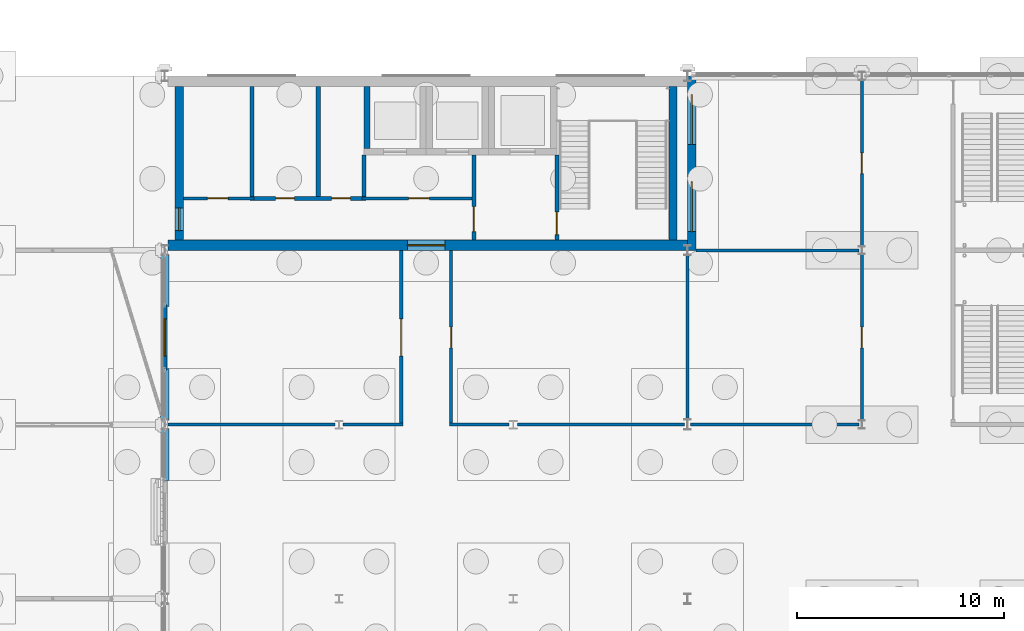
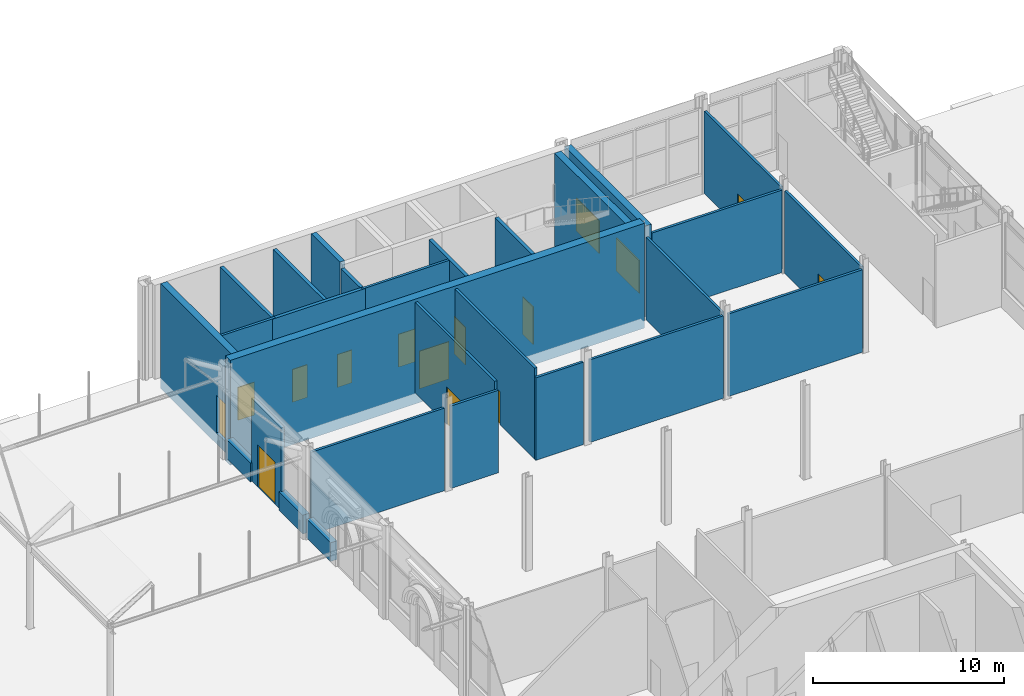
# One storey, part 190 of 212: 28 walls, 13 doors, 2 windows, 15 openings.
"""IFC4 building model written with IfcOpenShell, lengths in metres."""

from ifc_helpers import new_model, si_unit, direction, frame, frame_2d, origin, place, context, subcontext, project, spatial, rectangle, extrude, material, layer, layer_set, type_object, element, fill, save


model = new_model("IFC4")

# Units and contexts
model_context = context("Model", 3, precision=1e-05, world=origin(), true_north=direction((0.0, 1.0)))
body_context = subcontext(model_context, "Body", "Model", "MODEL_VIEW")
ifc_project = project(units=[si_unit("LENGTHUNIT", "METRE"), si_unit("AREAUNIT", "SQUARE_METRE"), si_unit("VOLUMEUNIT", "CUBIC_METRE"), si_unit("PLANEANGLEUNIT", "RADIAN"), si_unit("MASSUNIT", "GRAM", prefix="KILO")], contexts=[model_context])

# Site, building, storey
site_placement = place(None, origin())
site = spatial("IfcSite", under=ifc_project, at=site_placement, CompositionType="ELEMENT")
building_placement = place(site_placement, origin())
building = spatial("IfcBuilding", under=site, at=building_placement, Name="Catenary Quay Ferry Terminal", CompositionType="ELEMENT")
storey_placement = place(building_placement, origin())
storey = spatial("IfcBuildingStorey", under=building, at=storey_placement, Name="L00", CompositionType="ELEMENT", Elevation=0.0)

# Wall, opening, door
ifc_material_1 = material(Name="Concrete C50/60", Category="concrete")
ifc_layer_1 = layer(ifc_material_1, 0.39990234375)
ifc_layer_set_1 = layer_set([ifc_layer_1], Name="Core wall 400")
wall_type_1 = type_object("IfcWallType", Name="Core wall 400", PredefinedType="SHEAR", material=ifc_layer_set_1)
wall_1_placement = place(storey_placement, frame((25.89990234375, 202.10009765625, -0.699951171875), z_axis=(0.0, 0.0, 1.0), x_axis=(0.0, 1.0, 0.0)))
wall_1 = element("IfcWall", 1, at=wall_1_placement, inside=storey, type_object=wall_type_1, Name="Core wall N3", PredefinedType="SHEAR", context=body_context, shape_type="SweptSolid", body=[
    extrude(rectangle(XDim=7.39990234375, YDim=0.39990234375, at=frame_2d((3.699951171875, 0.0))), origin(), (0.0, 0.0, 1.0), 6.699951171875),
])
opening_1_placement = place(wall_1_placement, frame((0.449951171875, 0.0, 0.699951171875)))
opening_1 = element("IfcOpeningElement", 2, at=opening_1_placement, cuts=wall_1, Name="Opening D35", PredefinedType="OPENING", context=body_context, shape_type="SweptSolid", body=[
    extrude(rectangle(XDim=1.10009765625, YDim=2.39990234375, at=frame_2d((0.550048828125, 1.199951171875))), frame((0.0, 0.2099609375, 0.0), z_axis=(0.0, -1.0, 0.0), x_axis=(1.0, 0.0, 0.0)), (0.0, 0.0, 1.0), 0.419921875),
])
ifc_material_2 = material(Name="Steel", Category="steel")
door_type_1 = type_object("IfcDoorType", Name="DXE1100", OperationType="SINGLE_SWING_LEFT", PredefinedType="DOOR", material=ifc_material_2)
door_1_placement = place(opening_1_placement, origin())
door_1 = element("IfcDoor", 3, at=door_1_placement, inside=storey, type_object=door_type_1, Name="Corr core door D35", OperationType="SINGLE_SWING_LEFT", OverallHeight=2.39990234375, OverallWidth=1.10009765625, PredefinedType="DOOR", context=body_context, shape_type="SweptSolid", body=[
    extrude(rectangle(XDim=1.10009765625, YDim=2.39990234375, at=frame_2d((0.550048828125, 1.199951171875))), frame((0.0, 0.02490234375, 0.0), z_axis=(0.0, -1.0, 0.0), x_axis=(1.0, 0.0, 0.0)), (0.0, 0.0, 1.0), 0.050048828125),
])
fill(opening_1, door_1)

# Wall
wall_2_placement = place(storey_placement, frame((49.699951171875, 202.10009765625, -0.699951171875), z_axis=(0.0, 0.0, 1.0), x_axis=(0.0, 1.0, 0.0)))
element("IfcWall", 4, at=wall_2_placement, inside=storey, type_object=wall_type_1, Name="Core wall N4", PredefinedType="SHEAR", context=body_context, shape_type="SweptSolid", body=[
    extrude(rectangle(XDim=7.39990234375, YDim=0.39990234375, at=frame_2d((3.699951171875, 0.0))), origin(), (0.0, 0.0, 1.0), 6.699951171875),
])

# Wall, opening, door
ifc_material_3 = material(Name="Concrete C50/60", Category="concrete")
ifc_layer_2 = layer(ifc_material_3, 0.5)
ifc_layer_set_2 = layer_set([ifc_layer_2], Name="Core wall 500")
wall_type_2 = type_object("IfcWallType", Name="Core wall 500", PredefinedType="SHEAR", material=ifc_layer_set_2)
wall_3_placement = place(storey_placement, frame((25.35009765625, 201.85009765625, -0.699951171875), z_axis=(0.0, 0.0, 1.0), x_axis=(1.0, 0.0, 0.0)))
wall_3 = element("IfcWall", 5, at=wall_3_placement, inside=storey, type_object=wall_type_2, Name="Core wall N1", PredefinedType="SHEAR", context=body_context, shape_type="SweptSolid", body=[
    extrude(rectangle(XDim=25.04296875, YDim=0.5, at=frame_2d((12.521484375, 0.0))), origin(), (0.0, 0.0, 1.0), 6.699951171875),
])
opening_2_placement = place(wall_3_placement, frame((11.550048828125, 0.0, 0.699951171875)))
opening_2 = element("IfcOpeningElement", 6, at=opening_2_placement, cuts=wall_3, Name="Opening D87", PredefinedType="OPENING", context=body_context, shape_type="SweptSolid", body=[
    extrude(rectangle(XDim=1.800048828125, YDim=2.39990234375, at=frame_2d((0.89990234375, 1.199951171875))), frame((0.0, 0.260009765625, 0.0), z_axis=(0.0, -1.0, 0.0), x_axis=(1.0, 0.0, 0.0)), (0.0, 0.0, 1.0), 0.52001953125),
])
ifc_material_4 = material(Name="Steel and glass", Category="steel")
door_type_2 = type_object("IfcDoorType", Name="DI3", OperationType="DOUBLE_DOOR_SINGLE_SWING", PredefinedType="DOOR", material=ifc_material_4)
door_2_placement = place(opening_2_placement, origin())
door_2 = element("IfcDoor", 7, at=door_2_placement, inside=storey, type_object=door_type_2, Name="Operations Corridor North to Core Corridor N", OperationType="DOUBLE_DOOR_SINGLE_SWING", OverallHeight=2.39990234375, OverallWidth=1.800048828125, PredefinedType="DOOR", context=body_context, shape_type="SweptSolid", body=[
    extrude(rectangle(XDim=1.800048828125, YDim=2.39990234375, at=frame_2d((0.89990234375, 1.199951171875))), frame((0.0, 0.02490234375, 0.0), z_axis=(0.0, -1.0, 0.0), x_axis=(1.0, 0.0, 0.0)), (0.0, 0.0, 1.0), 0.050048828125),
])
fill(opening_2, door_2)

# Walls
ifc_material_5 = material(Name="Masonry and insulation", Category="masonry")
ifc_layer_3 = layer(ifc_material_5, 0.39990234375)
ifc_layer_set_3 = layer_set([ifc_layer_3], Name="EW14")
wall_type_3 = type_object("IfcWallType", Name="EW14", PredefinedType="SOLIDWALL", material=ifc_layer_set_3)
for number, where, z_axis, x_axis, name in (
    (8, (25.199951171875, 190.5, 0.0), (0.0, 0.0, 1.0), (0.0, 1.0, 0.0), "Plinth wing wall WL57"),
    (9, (25.199951171875, 193.39990234375, 0.0), (0.0, 0.0, 1.0), (0.0, 1.0, 0.0), "Plinth wing wall WL59"),
    (10, (25.199951171875, 198.89990234375, 0.0), (0.0, 0.0, 1.0), (0.0, 1.0, 0.0), "Plinth wing wall WL60"),
):
    element("IfcWall", number, at=place(storey_placement, frame(where, z_axis=z_axis, x_axis=x_axis)), inside=storey, type_object=wall_type_3, Name=name, PredefinedType="SOLIDWALL", context=body_context, shape_type="SweptSolid", body=[
        extrude(rectangle(XDim=2.5, YDim=0.39990234375, at=frame_2d((1.25, 0.0))), origin(), (0.0, 0.0, 1.0), 1.199951171875),
    ])

# Wall, openings, windows
ifc_material_6 = material(Name="Masonry and insulation", Category="masonry")
ifc_layer_4 = layer(ifc_material_6, 0.39990234375)
ifc_layer_set_4 = layer_set([ifc_layer_4], Name="EW2")
wall_type_4 = type_object("IfcWallType", Name="EW2", PredefinedType="SOLIDWALL", material=ifc_layer_set_4)
wall_4_placement = place(storey_placement, frame((50.60009765625, 201.60009765625, 0.0), z_axis=(0.0, 0.0, 1.0), x_axis=(0.0, 1.0, 0.0)))
wall_4 = element("IfcWall", 11, at=wall_4_placement, inside=storey, type_object=wall_type_4, Name="P16 wall WL171", PredefinedType="SOLIDWALL", context=body_context, shape_type="SweptSolid", body=[
    extrude(rectangle(XDim=8.39990234375, YDim=0.39990234375, at=frame_2d((4.199951171875, 0.0))), origin(), (0.0, 0.0, 1.0), 5.800048828125),
])
opening_3_placement = place(wall_4_placement, frame((0.89990234375, 0.0, 0.89990234375)))
opening_3 = element("IfcOpeningElement", 12, at=opening_3_placement, cuts=wall_4, Name="Opening W5", PredefinedType="OPENING", context=body_context, shape_type="SweptSolid", body=[
    extrude(rectangle(XDim=2.39990234375, YDim=2.10009765625, at=frame_2d((1.199951171875, 1.050048828125))), frame((0.0, 0.2099609375, 0.0), z_axis=(0.0, -1.0, 0.0), x_axis=(1.0, 0.0, 0.0)), (0.0, 0.0, 1.0), 0.419921875),
])
opening_4_placement = place(wall_4_placement, frame((5.10009765625, 0.0, 0.89990234375)))
opening_4 = element("IfcOpeningElement", 13, at=opening_4_placement, cuts=wall_4, Name="Opening W6", PredefinedType="OPENING", context=body_context, shape_type="SweptSolid", body=[
    extrude(rectangle(XDim=2.39990234375, YDim=2.10009765625, at=frame_2d((1.199951171875, 1.050048828125))), frame((0.0, 0.2099609375, 0.0), z_axis=(0.0, -1.0, 0.0), x_axis=(1.0, 0.0, 0.0)), (0.0, 0.0, 1.0), 0.419921875),
])
ifc_material_7 = material(Name="Aluminium and glass", Category="aluminium")
window_type = type_object("IfcWindowType", Name="WP2", PartitioningType="SINGLE_PANEL", PredefinedType="WINDOW", material=ifc_material_7)
window_1_placement = place(opening_3_placement, origin())
window_1 = element("IfcWindow", 14, at=window_1_placement, inside=storey, type_object=window_type, Name="P16 window W5", OverallHeight=2.10009765625, OverallWidth=2.39990234375, PartitioningType="SINGLE_PANEL", PredefinedType="WINDOW", context=body_context, shape_type="SweptSolid", body=[
    extrude(rectangle(XDim=2.39990234375, YDim=2.10009765625, at=frame_2d((1.199951171875, 1.050048828125))), frame((0.0, 0.030029296875, 0.0), z_axis=(0.0, -1.0, 0.0), x_axis=(1.0, 0.0, 0.0)), (0.0, 0.0, 1.0), 0.06005859375),
])
fill(opening_3, window_1)
window_2_placement = place(opening_4_placement, origin())
window_2 = element("IfcWindow", 15, at=window_2_placement, inside=storey, type_object=window_type, Name="P16 window W6", OverallHeight=2.10009765625, OverallWidth=2.39990234375, PartitioningType="SINGLE_PANEL", PredefinedType="WINDOW", context=body_context, shape_type="SweptSolid", body=[
    extrude(rectangle(XDim=2.39990234375, YDim=2.10009765625, at=frame_2d((1.199951171875, 1.050048828125))), frame((0.0, 0.030029296875, 0.0), z_axis=(0.0, -1.0, 0.0), x_axis=(1.0, 0.0, 0.0)), (0.0, 0.0, 1.0), 0.06005859375),
])
fill(opening_4, window_2)

# Wall, opening, door
ifc_material_8 = material(Name="Masonry and insulation", Category="masonry")
ifc_layer_5 = layer(ifc_material_8, 0.199951171875)
ifc_layer_set_5 = layer_set([ifc_layer_5], Name="EW6")
wall_type_5 = type_object("IfcWallType", Name="EW6", PredefinedType="SOLIDWALL", material=ifc_layer_set_5)
wall_5_placement = place(storey_placement, frame((25.199951171875, 195.8349609375, 0.0), z_axis=(0.0, 0.0, 1.0), x_axis=(0.0, 1.0, 0.0)))
wall_5 = element("IfcWall", 16, at=wall_5_placement, inside=storey, type_object=wall_type_5, Name="Front wing wall WL61", PredefinedType="SOLIDWALL", context=body_context, shape_type="SweptSolid", body=[
    extrude(rectangle(XDim=3.130126953125, YDim=0.199951171875, at=frame_2d((1.56494140625, 0.0))), origin(), (0.0, 0.0, 1.0), 5.271728515625),
])
opening_5_placement = place(wall_5_placement, frame((0.6650390625, 0.0, 0.0)))
opening_5 = element("IfcOpeningElement", 17, at=opening_5_placement, cuts=wall_5, Name="Opening D22", PredefinedType="OPENING", context=body_context, shape_type="SweptSolid", body=[
    extrude(rectangle(XDim=1.800048828125, YDim=2.699951171875, at=frame_2d((0.89990234375, 1.35009765625))), frame((0.0, 0.10986328125, 0.0), z_axis=(0.0, -1.0, 0.0), x_axis=(1.0, 0.0, 0.0)), (0.0, 0.0, 1.0), 0.219970703125),
])
ifc_material_9 = material(Name="Aluminium and glass", Category="aluminium")
door_type_3 = type_object("IfcDoorType", Name="DXH1800", OperationType="DOUBLE_DOOR_DOUBLE_SWING", PredefinedType="DOOR", material=ifc_material_9)
door_3_placement = place(opening_5_placement, origin())
door_3 = element("IfcDoor", 18, at=door_3_placement, inside=storey, type_object=door_type_3, Name="Front wing door D22", OperationType="DOUBLE_DOOR_DOUBLE_SWING", OverallHeight=2.699951171875, OverallWidth=1.800048828125, PredefinedType="DOOR", context=body_context, shape_type="SweptSolid", body=[
    extrude(rectangle(XDim=1.800048828125, YDim=2.699951171875, at=frame_2d((0.89990234375, 1.35009765625))), frame((0.0, 0.02490234375, 0.0), z_axis=(0.0, -1.0, 0.0), x_axis=(1.0, 0.0, 0.0)), (0.0, 0.0, 1.0), 0.050048828125),
])
fill(opening_5, door_3)

# Walls
ifc_material_10 = material(Name="Plasterboard on steel studs", Category="steel")
ifc_layer_6 = layer(ifc_material_10, 0.14990234375)
ifc_layer_set_6 = layer_set([ifc_layer_6], Name="IP11")
wall_type_6 = type_object("IfcWallType", Name="IP11", PredefinedType="PARTITIONING", material=ifc_layer_set_6)
wall_6_placement = place(storey_placement, frame((38.925048828125, 193.199951171875, 0.0), z_axis=(0.0, 0.0, 1.0), x_axis=(1.0, 0.0, 0.0)))
element("IfcWall", 19, at=wall_6_placement, inside=storey, type_object=wall_type_6, Name="Partition L00 56", PredefinedType="PARTITIONING", context=body_context, shape_type="SweptSolid", body=[
    extrude(rectangle(XDim=2.873046875, YDim=0.14990234375, at=frame_2d((1.4365234375, 0.0))), origin(), (0.0, 0.0, 1.0), 5.271728515625),
])
wall_7_placement = place(storey_placement, frame((42.201904296875, 193.199951171875, 0.0), z_axis=(0.0, 0.0, 1.0), x_axis=(1.0, 0.0, 0.0)))
element("IfcWall", 20, at=wall_7_placement, inside=storey, type_object=wall_type_6, Name="Partition L00 57", PredefinedType="PARTITIONING", context=body_context, shape_type="SweptSolid", body=[
    extrude(rectangle(XDim=8.048095703125, YDim=0.14990234375, at=frame_2d((4.02392578125, 0.0))), origin(), (0.0, 0.0, 1.0), 5.271728515625),
])

# Wall, opening, door
wall_8_placement = place(storey_placement, frame((39.0, 193.27490234375, 0.0), z_axis=(0.0, 0.0, 1.0), x_axis=(0.0, 1.0, 0.0)))
wall_8 = element("IfcWall", 21, at=wall_8_placement, inside=storey, type_object=wall_type_6, Name="Partition L00 80", PredefinedType="PARTITIONING", context=body_context, shape_type="SweptSolid", body=[
    extrude(rectangle(XDim=8.3251953125, YDim=0.14990234375, at=frame_2d((4.16259765625, 0.0))), origin(), (0.0, 0.0, 1.0), 5.800048828125),
])
opening_6_placement = place(wall_8_placement, frame((3.625, 0.0, 0.0)))
opening_6 = element("IfcOpeningElement", 22, at=opening_6_placement, cuts=wall_8, Name="Opening D94", PredefinedType="OPENING", context=body_context, shape_type="SweptSolid", body=[
    extrude(rectangle(XDim=1.0, YDim=2.10009765625, at=frame_2d((0.5, 1.050048828125))), frame((0.0, 0.0849609375, 0.0), z_axis=(0.0, -1.0, 0.0), x_axis=(1.0, 0.0, 0.0)), (0.0, 0.0, 1.0), 0.169921875),
])
ifc_material_11 = material(Name="Steel", Category="steel")
door_type_4 = type_object("IfcDoorType", Name="DI14", OperationType="SINGLE_SWING_LEFT", PredefinedType="DOOR", material=ifc_material_11)
door_4_placement = place(opening_6_placement, frame((1.0, 0.0, 0.0), z_axis=(0.0, 0.0, 1.0), x_axis=(-1.0, 0.0, 0.0)))
door_4 = element("IfcDoor", 23, at=door_4_placement, inside=storey, type_object=door_type_4, Name="Security and CCTV Control Room to Operations Corridor North", OperationType="SINGLE_SWING_RIGHT", OverallHeight=2.10009765625, OverallWidth=1.0, PredefinedType="DOOR", context=body_context, shape_type="SweptSolid", body=[
    extrude(rectangle(XDim=1.0, YDim=2.10009765625, at=frame_2d((0.5, 1.050048828125))), frame((0.0, 0.02490234375, 0.0), z_axis=(0.0, -1.0, 0.0), x_axis=(1.0, 0.0, 0.0)), (0.0, 0.0, 1.0), 0.050048828125),
])
fill(opening_6, door_4)

# Wall
wall_9_placement = place(storey_placement, frame((50.39990234375, 193.449951171875, 0.0), z_axis=(0.0, 0.0, 1.0), x_axis=(0.0, 1.0, 0.0)))
element("IfcWall", 24, at=wall_9_placement, inside=storey, type_object=wall_type_6, Name="Partition L00 97", PredefinedType="PARTITIONING", context=body_context, shape_type="SweptSolid", body=[
    extrude(rectangle(XDim=7.900146484375, YDim=0.14990234375, at=frame_2d((3.9501953125, 0.0))), origin(), (0.0, 0.0, 1.0), 5.271728515625),
])

# Wall, opening, door
ifc_material_12 = material(Name="Plasterboard on steel studs", Category="steel")
ifc_layer_7 = layer(ifc_material_12, 0.14990234375)
ifc_layer_set_7 = layer_set([ifc_layer_7], Name="IP3")
wall_type_7 = type_object("IfcWallType", Name="IP3", PredefinedType="PARTITIONING", material=ifc_layer_set_7)
wall_10_placement = place(storey_placement, frame((26.10009765625, 204.10009765625, 0.0), z_axis=(0.0, 0.0, 1.0), x_axis=(1.0, 0.0, 0.0)))
wall_10 = element("IfcWall", 25, at=wall_10_placement, inside=storey, type_object=wall_type_7, Name="Partition L00 62", PredefinedType="PARTITIONING", context=body_context, shape_type="SweptSolid", body=[
    extrude(rectangle(XDim=3.39990234375, YDim=0.14990234375, at=frame_2d((1.699951171875, 0.0))), origin(), (0.0, 0.0, 1.0), 5.800048828125),
])
opening_7_placement = place(wall_10_placement, frame((1.14990234375, 0.0, 0.0)))
opening_7 = element("IfcOpeningElement", 26, at=opening_7_placement, cuts=wall_10, Name="Opening D83", PredefinedType="OPENING", context=body_context, shape_type="SweptSolid", body=[
    extrude(rectangle(XDim=1.0, YDim=2.10009765625, at=frame_2d((0.5, 1.050048828125))), frame((0.0, 0.0849609375, 0.0), z_axis=(0.0, -1.0, 0.0), x_axis=(1.0, 0.0, 0.0)), (0.0, 0.0, 1.0), 0.169921875),
])
ifc_material_13 = material(Name="Timber", Category="wood")
door_type_5 = type_object("IfcDoorType", Name="DI8", OperationType="SINGLE_SWING_LEFT", PredefinedType="DOOR", material=ifc_material_13)
door_5_placement = place(opening_7_placement, origin())
door_5 = element("IfcDoor", 27, at=door_5_placement, inside=storey, type_object=door_type_5, Name="Accessible WC N to Core Corridor N", OperationType="SINGLE_SWING_LEFT", OverallHeight=2.10009765625, OverallWidth=1.0, PredefinedType="DOOR", context=body_context, shape_type="SweptSolid", body=[
    extrude(rectangle(XDim=1.0, YDim=2.10009765625, at=frame_2d((0.5, 1.050048828125))), frame((0.0, 0.02490234375, 0.0), z_axis=(0.0, -1.0, 0.0), x_axis=(1.0, 0.0, 0.0)), (0.0, 0.0, 1.0), 0.050048828125),
])
fill(opening_7, door_5)

wall_11_placement = place(storey_placement, frame((34.699951171875, 204.10009765625, 0.0), z_axis=(0.0, 0.0, 1.0), x_axis=(1.0, 0.0, 0.0)))
wall_11 = element("IfcWall", 28, at=wall_11_placement, inside=storey, type_object=wall_type_7, Name="Partition L00 64", PredefinedType="PARTITIONING", context=body_context, shape_type="SweptSolid", body=[
    extrude(rectangle(XDim=5.300048828125, YDim=0.14990234375, at=frame_2d((2.64990234375, 0.0))), origin(), (0.0, 0.0, 1.0), 5.800048828125),
])
opening_8_placement = place(wall_11_placement, frame((2.25, 0.0, 0.0)))
opening_8 = element("IfcOpeningElement", 29, at=opening_8_placement, cuts=wall_11, Name="Opening D75", PredefinedType="OPENING", context=body_context, shape_type="SweptSolid", body=[
    extrude(rectangle(XDim=1.0, YDim=2.10009765625, at=frame_2d((0.5, 1.050048828125))), frame((0.0, 0.0849609375, 0.0), z_axis=(0.0, -1.0, 0.0), x_axis=(1.0, 0.0, 0.0)), (0.0, 0.0, 1.0), 0.169921875),
])
ifc_material_14 = material(Name="Steel", Category="steel")
door_type_6 = type_object("IfcDoorType", Name="DI12", OperationType="SINGLE_SWING_LEFT", PredefinedType="DOOR", material=ifc_material_14)
door_6_placement = place(opening_8_placement, origin())
door_6 = element("IfcDoor", 30, at=door_6_placement, inside=storey, type_object=door_type_6, Name="Passenger Lift Lobby N to Core Corridor N", OperationType="SINGLE_SWING_LEFT", OverallHeight=2.10009765625, OverallWidth=1.0, PredefinedType="DOOR", context=body_context, shape_type="SweptSolid", body=[
    extrude(rectangle(XDim=1.0, YDim=2.10009765625, at=frame_2d((0.5, 1.050048828125))), frame((0.0, 0.02490234375, 0.0), z_axis=(0.0, -1.0, 0.0), x_axis=(1.0, 0.0, 0.0)), (0.0, 0.0, 1.0), 0.050048828125),
])
fill(opening_8, door_6)

wall_12_placement = place(storey_placement, frame((36.60009765625, 193.27490234375, 0.0), z_axis=(0.0, 0.0, 1.0), x_axis=(0.0, 1.0, 0.0)))
wall_12 = element("IfcWall", 31, at=wall_12_placement, inside=storey, type_object=wall_type_7, Name="Partition L00 78", PredefinedType="PARTITIONING", context=body_context, shape_type="SweptSolid", body=[
    extrude(rectangle(XDim=8.3251953125, YDim=0.14990234375, at=frame_2d((4.16259765625, 0.0))), origin(), (0.0, 0.0, 1.0), 5.800048828125),
])
opening_9_placement = place(wall_12_placement, frame((3.22509765625, 0.0, 0.0)))
opening_9 = element("IfcOpeningElement", 32, at=opening_9_placement, cuts=wall_12, Name="Opening D93", PredefinedType="OPENING", context=body_context, shape_type="SweptSolid", body=[
    extrude(rectangle(XDim=1.800048828125, YDim=2.39990234375, at=frame_2d((0.89990234375, 1.199951171875))), frame((0.0, 0.0849609375, 0.0), z_axis=(0.0, -1.0, 0.0), x_axis=(1.0, 0.0, 0.0)), (0.0, 0.0, 1.0), 0.169921875),
])
ifc_material_15 = material(Name="Aluminium and glass", Category="aluminium")
door_type_7 = type_object("IfcDoorType", Name="DI6", OperationType="DOUBLE_DOOR_SINGLE_SWING", PredefinedType="DOOR", material=ifc_material_15)
door_7_placement = place(opening_9_placement, origin())
door_7 = element("IfcDoor", 33, at=door_7_placement, inside=storey, type_object=door_type_7, Name="Staff Entrance Hall to Operations Corridor North", OperationType="DOUBLE_DOOR_SINGLE_SWING", OverallHeight=2.39990234375, OverallWidth=1.800048828125, PredefinedType="DOOR", context=body_context, shape_type="SweptSolid", body=[
    extrude(rectangle(XDim=1.800048828125, YDim=2.39990234375, at=frame_2d((0.89990234375, 1.199951171875))), frame((0.0, 0.02490234375, 0.0), z_axis=(0.0, -1.0, 0.0), x_axis=(1.0, 0.0, 0.0)), (0.0, 0.0, 1.0), 0.050048828125),
])
fill(opening_9, door_7)

wall_13_placement = place(storey_placement, frame((58.800048828125, 193.39990234375, 0.0), z_axis=(0.0, 0.0, 1.0), x_axis=(0.0, 1.0, 0.0)))
wall_13 = element("IfcWall", 34, at=wall_13_placement, inside=storey, type_object=wall_type_7, Name="Partition L00 100", PredefinedType="PARTITIONING", context=body_context, shape_type="SweptSolid", body=[
    extrude(rectangle(XDim=8.0, YDim=0.14990234375, at=frame_2d((4.0, 0.0))), origin(), (0.0, 0.0, 1.0), 5.271728515625),
])
opening_10_placement = place(wall_13_placement, frame((3.5, 0.0, 0.0)))
opening_10 = element("IfcOpeningElement", 35, at=opening_10_placement, cuts=wall_13, Name="Opening D98", PredefinedType="OPENING", context=body_context, shape_type="SweptSolid", body=[
    extrude(rectangle(XDim=1.0, YDim=2.10009765625, at=frame_2d((0.5, 1.050048828125))), frame((0.0, 0.0849609375, 0.0), z_axis=(0.0, -1.0, 0.0), x_axis=(1.0, 0.0, 0.0)), (0.0, 0.0, 1.0), 0.169921875),
])
ifc_material_16 = material(Name="Timber", Category="wood")
door_type_8 = type_object("IfcDoorType", Name="DI7", OperationType="SINGLE_SWING_LEFT", PredefinedType="DOOR", material=ifc_material_16)
door_8_placement = place(opening_10_placement, origin())
door_8 = element("IfcDoor", 36, at=door_8_placement, inside=storey, type_object=door_type_8, Name="Port Health Clinic to East Passage", OperationType="SINGLE_SWING_LEFT", OverallHeight=2.10009765625, OverallWidth=1.0, PredefinedType="DOOR", context=body_context, shape_type="SweptSolid", body=[
    extrude(rectangle(XDim=1.0, YDim=2.10009765625, at=frame_2d((0.5, 1.050048828125))), frame((0.0, 0.02490234375, 0.0), z_axis=(0.0, -1.0, 0.0), x_axis=(1.0, 0.0, 0.0)), (0.0, 0.0, 1.0), 0.050048828125),
])
fill(opening_10, door_8)

wall_14_placement = place(storey_placement, frame((58.800048828125, 201.800048828125, 0.0), z_axis=(0.0, 0.0, 1.0), x_axis=(0.0, 1.0, 0.0)))
wall_14 = element("IfcWall", 37, at=wall_14_placement, inside=storey, type_object=wall_type_7, Name="Partition L00 101", PredefinedType="PARTITIONING", context=body_context, shape_type="SweptSolid", body=[
    extrude(rectangle(XDim=8.0, YDim=0.14990234375, at=frame_2d((4.0, 0.0))), origin(), (0.0, 0.0, 1.0), 5.271728515625),
])
opening_11_placement = place(wall_14_placement, frame((3.5, 0.0, 0.0)))
opening_11 = element("IfcOpeningElement", 38, at=opening_11_placement, cuts=wall_14, Name="Opening D99", PredefinedType="OPENING", context=body_context, shape_type="SweptSolid", body=[
    extrude(rectangle(XDim=1.0, YDim=2.10009765625, at=frame_2d((0.5, 1.050048828125))), frame((0.0, 0.0849609375, 0.0), z_axis=(0.0, -1.0, 0.0), x_axis=(1.0, 0.0, 0.0)), (0.0, 0.0, 1.0), 0.169921875),
])
door_9_placement = place(opening_11_placement, origin())
door_9 = element("IfcDoor", 39, at=door_9_placement, inside=storey, type_object=door_type_8, Name="Port Health Isolation Room to East Passage", OperationType="SINGLE_SWING_LEFT", OverallHeight=2.10009765625, OverallWidth=1.0, PredefinedType="DOOR", context=body_context, shape_type="SweptSolid", body=[
    extrude(rectangle(XDim=1.0, YDim=2.10009765625, at=frame_2d((0.5, 1.050048828125))), frame((0.0, 0.02490234375, 0.0), z_axis=(0.0, -1.0, 0.0), x_axis=(1.0, 0.0, 0.0)), (0.0, 0.0, 1.0), 0.050048828125),
])
fill(opening_11, door_9)

ifc_material_17 = material(Name="Blockwork and plaster", Category="masonry")
ifc_layer_8 = layer(ifc_material_17, 0.199951171875)
ifc_layer_set_8 = layer_set([ifc_layer_8], Name="IP4")
wall_type_8 = type_object("IfcWallType", Name="IP4", PredefinedType="PARTITIONING", material=ifc_layer_set_8)
wall_15_placement = place(storey_placement, frame((40.10009765625, 202.10009765625, 0.0), z_axis=(0.0, 0.0, 1.0), x_axis=(0.0, 1.0, 0.0)))
wall_15 = element("IfcWall", 40, at=wall_15_placement, inside=storey, type_object=wall_type_8, Name="Partition L00 82", PredefinedType="PARTITIONING", context=body_context, shape_type="SweptSolid", body=[
    extrude(rectangle(XDim=4.099853515625, YDim=0.199951171875, at=frame_2d((2.0498046875, 0.0))), origin(), (0.0, 0.0, 1.0), 5.800048828125),
])
opening_12_placement = place(wall_15_placement, frame((0.39990234375, 0.0, 0.0)))
opening_12 = element("IfcOpeningElement", 41, at=opening_12_placement, cuts=wall_15, Name="Opening D77", PredefinedType="OPENING", context=body_context, shape_type="SweptSolid", body=[
    extrude(rectangle(XDim=1.199951171875, YDim=2.39990234375, at=frame_2d((0.60009765625, 1.199951171875))), frame((0.0, 0.10986328125, 0.0), z_axis=(0.0, -1.0, 0.0), x_axis=(1.0, 0.0, 0.0)), (0.0, 0.0, 1.0), 0.219970703125),
])
ifc_material_18 = material(Name="Steel and glass", Category="steel")
door_type_9 = type_object("IfcDoorType", Name="DI10", OperationType="SINGLE_SWING_LEFT", PredefinedType="DOOR", material=ifc_material_18)
door_10_placement = place(opening_12_placement, frame((1.199951171875, 0.0, 0.0), z_axis=(0.0, 0.0, 1.0), x_axis=(-1.0, 0.0, 0.0)))
door_10 = element("IfcDoor", 42, at=door_10_placement, inside=storey, type_object=door_type_9, Name="Fire-fighting Lobby N to Core Corridor N", OperationType="SINGLE_SWING_RIGHT", OverallHeight=2.39990234375, OverallWidth=1.199951171875, PredefinedType="DOOR", context=body_context, shape_type="SweptSolid", body=[
    extrude(rectangle(XDim=1.199951171875, YDim=2.39990234375, at=frame_2d((0.60009765625, 1.199951171875))), frame((0.0, 0.02490234375, 0.0), z_axis=(0.0, -1.0, 0.0), x_axis=(1.0, 0.0, 0.0)), (0.0, 0.0, 1.0), 0.050048828125),
])
fill(opening_12, door_10)

wall_16_placement = place(storey_placement, frame((44.10009765625, 202.10009765625, 0.0), z_axis=(0.0, 0.0, 1.0), x_axis=(0.0, 1.0, 0.0)))
wall_16 = element("IfcWall", 43, at=wall_16_placement, inside=storey, type_object=wall_type_8, Name="Partition L00 87", PredefinedType="PARTITIONING", context=body_context, shape_type="SweptSolid", body=[
    extrude(rectangle(XDim=4.099853515625, YDim=0.199951171875, at=frame_2d((2.0498046875, 0.0))), origin(), (0.0, 0.0, 1.0), 5.800048828125),
])
opening_13_placement = place(wall_16_placement, frame((0.25, 0.0, 0.0)))
opening_13 = element("IfcOpeningElement", 44, at=opening_13_placement, cuts=wall_16, Name="Opening D85", PredefinedType="OPENING", context=body_context, shape_type="SweptSolid", body=[
    extrude(rectangle(XDim=1.10009765625, YDim=2.39990234375, at=frame_2d((0.550048828125, 1.199951171875))), frame((0.0, 0.10986328125, 0.0), z_axis=(0.0, -1.0, 0.0), x_axis=(1.0, 0.0, 0.0)), (0.0, 0.0, 1.0), 0.219970703125),
])
ifc_material_19 = material(Name="Steel", Category="steel")
door_type_10 = type_object("IfcDoorType", Name="DI4", OperationType="SINGLE_SWING_LEFT", PredefinedType="DOOR", material=ifc_material_19)
door_11_placement = place(opening_13_placement, frame((1.10009765625, 0.0, 0.0), z_axis=(0.0, 0.0, 1.0), x_axis=(-1.0, 0.0, 0.0)))
door_11 = element("IfcDoor", 45, at=door_11_placement, inside=storey, type_object=door_type_10, Name="Stair HS1 to Fire-fighting Lobby N", OperationType="SINGLE_SWING_RIGHT", OverallHeight=2.39990234375, OverallWidth=1.10009765625, PredefinedType="DOOR", context=body_context, shape_type="SweptSolid", body=[
    extrude(rectangle(XDim=1.10009765625, YDim=2.39990234375, at=frame_2d((0.550048828125, 1.199951171875))), frame((0.0, 0.02490234375, 0.0), z_axis=(0.0, -1.0, 0.0), x_axis=(1.0, 0.0, 0.0)), (0.0, 0.0, 1.0), 0.050048828125),
])
fill(opening_13, door_11)

# Wall, openings, doors
ifc_material_20 = material(Name="Blockwork and plaster", Category="masonry")
ifc_layer_9 = layer(ifc_material_20, 0.199951171875)
ifc_layer_set_9 = layer_set([ifc_layer_9], Name="IP6")
wall_type_9 = type_object("IfcWallType", Name="IP6", PredefinedType="PARTITIONING", material=ifc_layer_set_9)
wall_17_placement = place(storey_placement, frame((29.300048828125, 204.10009765625, 0.0), z_axis=(0.0, 0.0, 1.0), x_axis=(1.0, 0.0, 0.0)))
wall_17 = element("IfcWall", 46, at=wall_17_placement, inside=storey, type_object=wall_type_9, Name="Partition L00 63", PredefinedType="PARTITIONING", context=body_context, shape_type="SweptSolid", body=[
    extrude(rectangle(XDim=5.599853515625, YDim=0.199951171875, at=frame_2d((2.7998046875, 0.0))), origin(), (0.0, 0.0, 1.0), 5.800048828125),
])
opening_14_placement = place(wall_17_placement, frame((3.949951171875, 0.0, 0.0)))
opening_14 = element("IfcOpeningElement", 47, at=opening_14_placement, cuts=wall_17, Name="Opening D79", PredefinedType="OPENING", context=body_context, shape_type="SweptSolid", body=[
    extrude(rectangle(XDim=0.89990234375, YDim=2.10009765625, at=frame_2d((0.449951171875, 1.050048828125))), frame((0.0, 0.10986328125, 0.0), z_axis=(0.0, -1.0, 0.0), x_axis=(1.0, 0.0, 0.0)), (0.0, 0.0, 1.0), 0.219970703125),
])
opening_15_placement = place(wall_17_placement, frame((1.25, 0.0, 0.0)))
opening_15 = element("IfcOpeningElement", 48, at=opening_15_placement, cuts=wall_17, Name="Opening D81", PredefinedType="OPENING", context=body_context, shape_type="SweptSolid", body=[
    extrude(rectangle(XDim=0.89990234375, YDim=2.10009765625, at=frame_2d((0.449951171875, 1.050048828125))), frame((0.0, 0.10986328125, 0.0), z_axis=(0.0, -1.0, 0.0), x_axis=(1.0, 0.0, 0.0)), (0.0, 0.0, 1.0), 0.219970703125),
])
ifc_material_21 = material(Name="Steel", Category="steel")
door_type_11 = type_object("IfcDoorType", Name="DI9", OperationType="SINGLE_SWING_LEFT", PredefinedType="DOOR", material=ifc_material_21)
door_12_placement = place(opening_14_placement, origin())
door_12 = element("IfcDoor", 49, at=door_12_placement, inside=storey, type_object=door_type_11, Name="Riser Shaft N to Core Corridor N", OperationType="SINGLE_SWING_LEFT", OverallHeight=2.10009765625, OverallWidth=0.89990234375, PredefinedType="DOOR", context=body_context, shape_type="SweptSolid", body=[
    extrude(rectangle(XDim=0.89990234375, YDim=2.10009765625, at=frame_2d((0.449951171875, 1.050048828125))), frame((0.0, 0.02490234375, 0.0), z_axis=(0.0, -1.0, 0.0), x_axis=(1.0, 0.0, 0.0)), (0.0, 0.0, 1.0), 0.050048828125),
])
fill(opening_14, door_12)
door_13_placement = place(opening_15_placement, origin())
door_13 = element("IfcDoor", 50, at=door_13_placement, inside=storey, type_object=door_type_11, Name="Cleaners Store N to Core Corridor N", OperationType="SINGLE_SWING_LEFT", OverallHeight=2.10009765625, OverallWidth=0.89990234375, PredefinedType="DOOR", context=body_context, shape_type="SweptSolid", body=[
    extrude(rectangle(XDim=0.89990234375, YDim=2.10009765625, at=frame_2d((0.449951171875, 1.050048828125))), frame((0.0, 0.02490234375, 0.0), z_axis=(0.0, -1.0, 0.0), x_axis=(1.0, 0.0, 0.0)), (0.0, 0.0, 1.0), 0.050048828125),
])
fill(opening_15, door_13)

# Walls
for number, where, z_axis, x_axis, name in (
    (51, (29.39990234375, 204.199951171875, 0.0), (0.0, 0.0, 1.0), (0.0, 1.0, 0.0), "Partition L00 65"),
    (52, (32.60009765625, 204.199951171875, 0.0), (0.0, 0.0, 1.0), (0.0, 1.0, 0.0), "Partition L00 67"),
):
    element("IfcWall", number, at=place(storey_placement, frame(where, z_axis=z_axis, x_axis=x_axis)), inside=storey, type_object=wall_type_9, Name=name, PredefinedType="PARTITIONING", context=body_context, shape_type="SweptSolid", body=[
        extrude(rectangle(XDim=5.300048828125, YDim=0.199951171875, at=frame_2d((2.64990234375, 0.0))), origin(), (0.0, 0.0, 1.0), 5.800048828125),
    ])
wall_18_placement = place(storey_placement, frame((34.800048828125, 204.199951171875, 0.0), z_axis=(0.0, 0.0, 1.0), x_axis=(0.0, 1.0, 0.0)))
element("IfcWall", 53, at=wall_18_placement, inside=storey, type_object=wall_type_9, Name="Partition L00 74", PredefinedType="PARTITIONING", context=body_context, shape_type="SweptSolid", body=[
    extrude(rectangle(XDim=2.0, YDim=0.199951171875, at=frame_2d((1.0, 0.0))), origin(), (0.0, 0.0, 1.0), 5.800048828125),
])
ifc_material_22 = material(Name="Plasterboard on steel studs", Category="steel")
ifc_layer_10 = layer(ifc_material_22, 0.14990234375)
ifc_layer_set_10 = layer_set([ifc_layer_10], Name="IP7")
wall_type_10 = type_object("IfcWallType", Name="IP7", PredefinedType="PARTITIONING", material=ifc_layer_set_10)
wall_19_placement = place(storey_placement, frame((25.35009765625, 193.199951171875, 0.0), z_axis=(0.0, 0.0, 1.0), x_axis=(1.0, 0.0, 0.0)))
element("IfcWall", 54, at=wall_19_placement, inside=storey, type_object=wall_type_10, Name="Partition L00 54", PredefinedType="PARTITIONING", context=body_context, shape_type="SweptSolid", body=[
    extrude(rectangle(XDim=8.0478515625, YDim=0.14990234375, at=frame_2d((4.02392578125, 0.0))), origin(), (0.0, 0.0, 1.0), 5.271728515625),
])
wall_20_placement = place(storey_placement, frame((33.802001953125, 193.199951171875, 0.0), z_axis=(0.0, 0.0, 1.0), x_axis=(1.0, 0.0, 0.0)))
element("IfcWall", 55, at=wall_20_placement, inside=storey, type_object=wall_type_10, Name="Partition L00 55", PredefinedType="PARTITIONING", context=body_context, shape_type="SweptSolid", body=[
    extrude(rectangle(XDim=2.873046875, YDim=0.14990234375, at=frame_2d((1.4365234375, 0.0))), origin(), (0.0, 0.0, 1.0), 5.271728515625),
])
wall_21_placement = place(storey_placement, frame((50.550048828125, 193.199951171875, 0.0), z_axis=(0.0, 0.0, 1.0), x_axis=(1.0, 0.0, 0.0)))
element("IfcWall", 56, at=wall_21_placement, inside=storey, type_object=wall_type_10, Name="Partition L00 58", PredefinedType="PARTITIONING", context=body_context, shape_type="SweptSolid", body=[
    extrude(rectangle(XDim=8.099853515625, YDim=0.14990234375, at=frame_2d((4.0498046875, 0.0))), origin(), (0.0, 0.0, 1.0), 5.271728515625),
])
wall_22_placement = place(storey_placement, frame((50.800048828125, 201.60009765625, 0.0), z_axis=(0.0, 0.0, 1.0), x_axis=(1.0, 0.0, 0.0)))
element("IfcWall", 57, at=wall_22_placement, inside=storey, type_object=wall_type_10, Name="Partition L00 60", PredefinedType="PARTITIONING", context=body_context, shape_type="SweptSolid", body=[
    extrude(rectangle(XDim=7.849853515625, YDim=0.14990234375, at=frame_2d((3.9248046875, 0.0))), origin(), (0.0, 0.0, 1.0), 5.271728515625),
])
ifc_material_23 = material(Name="Concrete C50/60", Category="concrete")
ifc_layer_11 = layer(ifc_material_23, 0.300048828125)
ifc_layer_set_11 = layer_set([ifc_layer_11], Name="Shaft wall 300")
wall_type_11 = type_object("IfcWallType", Name="Shaft wall 300", PredefinedType="SHEAR", material=ifc_layer_set_11)
wall_23_placement = place(storey_placement, frame((34.949951171875, 206.5, -1.800048828125), z_axis=(0.0, 0.0, 1.0), x_axis=(0.0, 1.0, 0.0)))
element("IfcWall", 58, at=wall_23_placement, inside=storey, type_object=wall_type_11, Name="Shaft wall GL4 W", PredefinedType="SHEAR", context=body_context, shape_type="SweptSolid", body=[
    extrude(rectangle(XDim=3.0, YDim=0.300048828125, at=frame_2d((1.5, 0.0))), origin(), (0.0, 0.0, 1.0), 7.800048828125),
])

save(model, "model.ifc")
